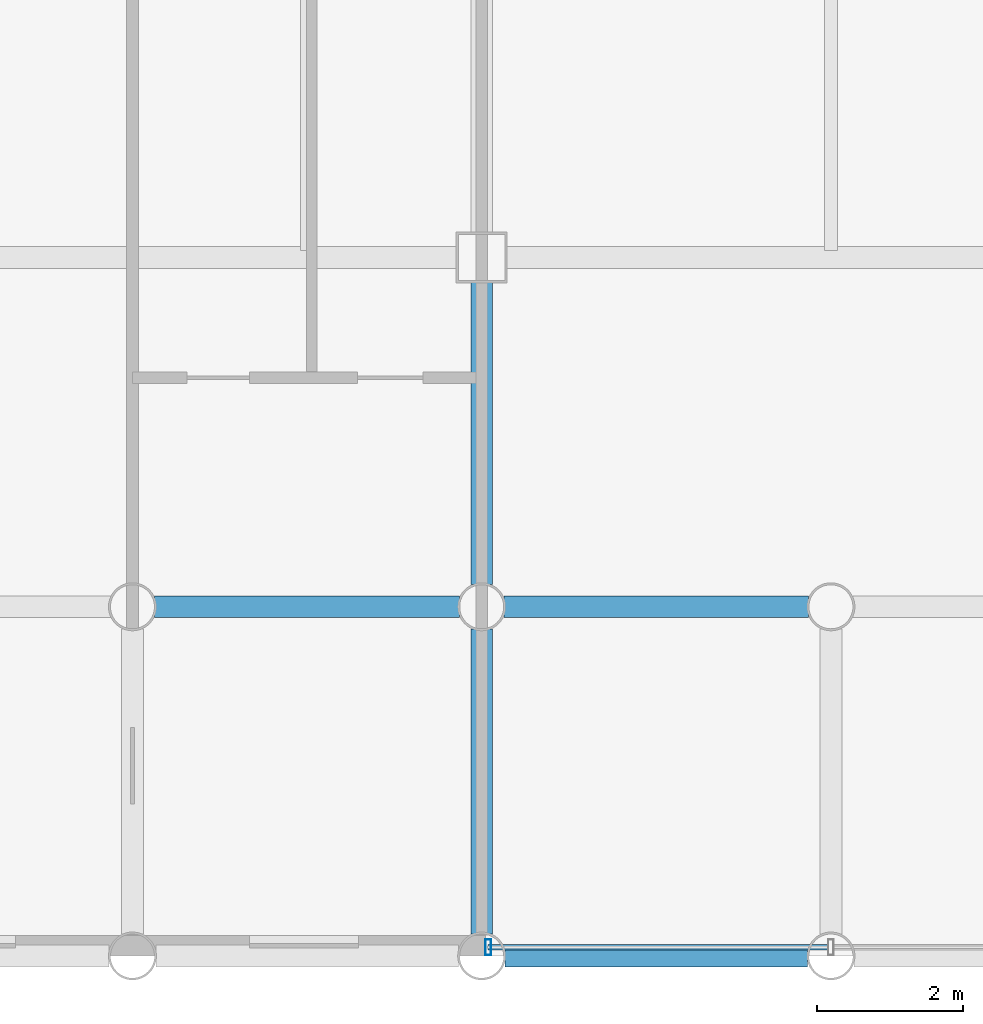
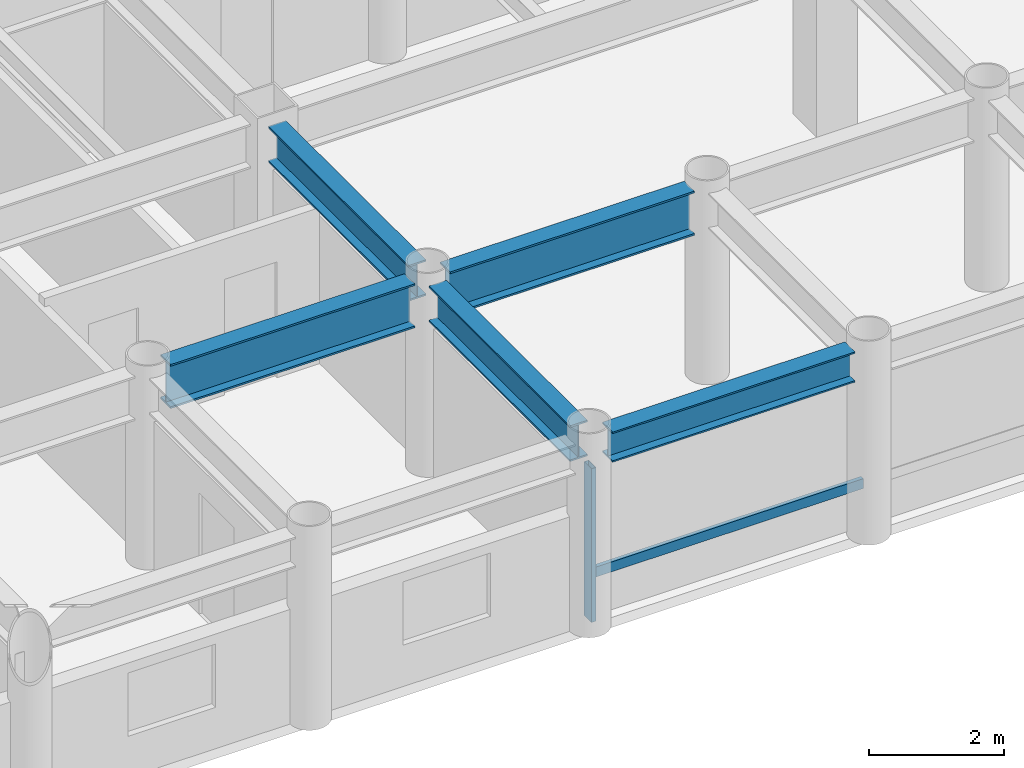
# One storey, part 2 of 20: 5 beams, 2 members, 1 element without a shape of its own.
"""IFC4 building model written with IfcOpenShell, lengths in metres."""

from ifc_helpers import new_model, si_unit, direction, frame, origin, origin_2d, place, context, subcontext, project, spatial, hollow_rectangle, i_section, extrude, material, layer, layer_set, material_profile, profile_set, type_object, element, aggregate, save


model = new_model("IFC4")

# Units and contexts
model_context = context("Model", 3, precision=1e-05, world=origin(), true_north=direction((0.0, 1.0)))
body_context = subcontext(model_context, "Body", "Model", "MODEL_VIEW")
ifc_project = project(units=[si_unit("LENGTHUNIT", "METRE"), si_unit("AREAUNIT", "SQUARE_METRE"), si_unit("VOLUMEUNIT", "CUBIC_METRE"), si_unit("PLANEANGLEUNIT", "RADIAN"), si_unit("MASSUNIT", "GRAM", prefix="KILO")], contexts=[model_context])

# Site, building, storey
site_placement = place(None, origin())
site = spatial("IfcSite", under=ifc_project, at=site_placement, CompositionType="ELEMENT")
building_placement = place(site_placement, origin())
building = spatial("IfcBuilding", under=site, at=building_placement, Name="Kallvorn Hotel Tower", CompositionType="ELEMENT")
storey_placement = place(building_placement, frame((0.0, 0.0, 176.60009765625)))
storey = spatial("IfcBuildingStorey", under=building, at=storey_placement, Name="L44", CompositionType="ELEMENT", Elevation=176.60009765625)

# Beams
ifc_material_1 = material(Name="Structural steel S355JR", Category="steel")
ifc_material_profile_1 = material_profile(ifc_material_1, i_section(OverallWidth=0.300048828125, OverallDepth=0.550048828125, WebThickness=0.014892578125, FlangeThickness=0.029052734375, at=origin_2d()), Name="HE 550 B")
ifc_profile_set_1 = profile_set([ifc_material_profile_1], Name="Structural steel S355JR")
beam_type_1 = type_object("IfcBeamType", Name="BM_HE550B", PredefinedType="SPANDREL", material=ifc_profile_set_1)
beam_1_placement = place(storey_placement, frame((-4.47998046875, -24.0, 3.204833984375), z_axis=(1.0, 0.0, 0.0), x_axis=(0.0, 1.0, 0.0)))
element("IfcBeam", 1, at=beam_1_placement, inside=storey, type_object=beam_type_1, Name="L45 Perimeter Spandrel 156", PredefinedType="SPANDREL", context=body_context, shape_type="SweptSolid", body=[
    extrude(i_section(OverallWidth=0.300048828125, OverallDepth=0.550048828125, WebThickness=0.014892578125, FlangeThickness=0.029052734375, at=origin_2d()), origin(), (0.0, 0.0, 1.0), 4.159912109375),
])
ifc_material_2 = material(Name="Structural steel S355JR", Category="steel")
ifc_material_profile_2 = material_profile(ifc_material_2, i_section(OverallWidth=0.300048828125, OverallDepth=0.64990234375, WebThickness=0.01611328125, FlangeThickness=0.031005859375, at=origin_2d()), Name="HE 650 B")
ifc_profile_set_2 = profile_set([ifc_material_profile_2], Name="Structural steel S355JR")
beam_type_2 = type_object("IfcBeamType", Name="BM_HE650B", PredefinedType="BEAM", material=ifc_profile_set_2)
beam_2_placement = place(storey_placement, frame((-4.800048828125, -23.695068359375, 3.15478515625), z_axis=(0.0, 1.0, 0.0), x_axis=(-1.0, 0.0, 0.0)))
element("IfcBeam", 2, at=beam_2_placement, inside=storey, type_object=beam_type_2, Name="L45 Primary Y-Girder 106", PredefinedType="BEAM", context=body_context, shape_type="SweptSolid", body=[
    extrude(i_section(OverallWidth=0.300048828125, OverallDepth=0.64990234375, WebThickness=0.01611328125, FlangeThickness=0.031005859375, at=origin_2d()), origin(), (0.0, 0.0, 1.0), 4.190185546875),
])
beam_3_placement = place(storey_placement, frame((-4.800048828125, -18.89501953125, 3.15478515625), z_axis=(0.0, 1.0, 0.0), x_axis=(-1.0, 0.0, 0.0)))
element("IfcBeam", 3, at=beam_3_placement, inside=storey, type_object=beam_type_2, Name="L45 Primary Y-Girder 107", PredefinedType="BEAM", context=body_context, shape_type="SweptSolid", body=[
    extrude(i_section(OverallWidth=0.300048828125, OverallDepth=0.64990234375, WebThickness=0.01611328125, FlangeThickness=0.031005859375, at=origin_2d()), origin(), (0.0, 0.0, 1.0), 4.169921875),
])
ifc_material_3 = material(Name="Structural steel S355JR", Category="steel")
ifc_material_profile_3 = material_profile(ifc_material_3, i_section(OverallWidth=0.300048828125, OverallDepth=0.800048828125, WebThickness=0.017578125, FlangeThickness=0.032958984375, at=origin_2d()), Name="HE 800 B")
ifc_profile_set_3 = profile_set([ifc_material_profile_3], Name="Structural steel S355JR")
beam_type_3 = type_object("IfcBeamType", Name="BM_HE800B", PredefinedType="BEAM", material=ifc_profile_set_3)
beam_4_placement = place(storey_placement, frame((-9.294921875, -19.199951171875, 3.079833984375), z_axis=(1.0, 0.0, 0.0), x_axis=(0.0, 1.0, 0.0)))
element("IfcBeam", 4, at=beam_4_placement, inside=storey, type_object=beam_type_3, Name="L45 Primary X-Girder 06", PredefinedType="BEAM", context=body_context, shape_type="SweptSolid", body=[
    extrude(i_section(OverallWidth=0.300048828125, OverallDepth=0.800048828125, WebThickness=0.017578125, FlangeThickness=0.032958984375, at=origin_2d()), origin(), (0.0, 0.0, 1.0), 4.18994140625),
])
beam_5_placement = place(storey_placement, frame((-4.4951171875, -19.199951171875, 3.079833984375), z_axis=(1.0, 0.0, 0.0), x_axis=(0.0, 1.0, 0.0)))
element("IfcBeam", 5, at=beam_5_placement, inside=storey, type_object=beam_type_3, Name="L45 Primary X-Girder 07", PredefinedType="BEAM", context=body_context, shape_type="SweptSolid", body=[
    extrude(i_section(OverallWidth=0.300048828125, OverallDepth=0.800048828125, WebThickness=0.017578125, FlangeThickness=0.032958984375, at=origin_2d()), origin(), (0.0, 0.0, 1.0), 4.190185546875),
])

# Curtain wall, members
ifc_material_4 = material(Name="Thermally broken black-anodised aluminium AA 6063-T6", Category="aluminium")
ifc_layer = layer(ifc_material_4, 0.2099609375)
ifc_layer_set = layer_set([ifc_layer], Name="CW_SYS_4_HOTEL_MID")
curtain_wall_type = type_object("IfcCurtainWallType", Name="CW_SYS_4_HOTEL_MID", PredefinedType="USERDEFINED", material=ifc_layer_set)
curtain_wall_placement = place(storey_placement, origin())
curtain_wall = element("IfcCurtainWall", 6, at=curtain_wall_placement, inside=storey, type_object=curtain_wall_type, Name="L44 Dark-Glass Curtain Wall CW-L44-SC", ObjectType="UNITISED CURTAIN WALL", PredefinedType="USERDEFINED")
ifc_material_5 = material(Name="Thermally broken black-anodised aluminium AA 6063-T6", Category="aluminium")
ifc_material_profile_4 = material_profile(ifc_material_5, hollow_rectangle(XDim=0.080078125, YDim=0.219970703125, WallThickness=0.0048828125, at=origin_2d()), Name="MUL 220x80")
ifc_profile_set_4 = profile_set([ifc_material_profile_4], Name="Thermally broken black-anodised aluminium AA 6063-T6")
member_type_1 = type_object("IfcMemberType", Name="CW_MULLION_220x80", PredefinedType="MULLION", material=ifc_profile_set_4)
member_1_placement = place(storey_placement, frame((-4.7099609375, -23.8798828125, 0.02001953125), z_axis=(0.0, 0.0, 1.0), x_axis=(1.0, 0.0, 0.0)))
member_1 = element("IfcMember", 7, at=member_1_placement, type_object=member_type_1, Name="CW-L44-SC Mullion 00", PredefinedType="MULLION", context=body_context, shape_type="SweptSolid", body=[
    extrude(hollow_rectangle(XDim=0.080078125, YDim=0.219970703125, WallThickness=0.0048828125, at=origin_2d()), origin(), (0.0, 0.0, 1.0), 2.789794921875),
])
ifc_material_6 = material(Name="Thermally broken black-anodised aluminium AA 6063-T6", Category="aluminium")
ifc_material_profile_5 = material_profile(ifc_material_6, hollow_rectangle(XDim=0.070068359375, YDim=0.179931640625, WallThickness=0.00390625, at=origin_2d()), Name="TRN 180x70")
ifc_profile_set_5 = profile_set([ifc_material_profile_5], Name="Thermally broken black-anodised aluminium AA 6063-T6")
member_type_2 = type_object("IfcMemberType", Name="CW_TRANSOM_180x70", PredefinedType="USERDEFINED", material=ifc_profile_set_5)
member_2_placement = place(storey_placement, frame((-4.7099609375, -23.8798828125, 0.849853515625), z_axis=(1.0, 0.0, 0.0), x_axis=(0.0, 1.0, 0.0)))
member_2 = element("IfcMember", 8, at=member_2_placement, type_object=member_type_2, Name="CW-L44-SC Transom 00M", ObjectType="TRANSOM", PredefinedType="USERDEFINED", context=body_context, shape_type="SweptSolid", body=[
    extrude(hollow_rectangle(XDim=0.070068359375, YDim=0.179931640625, WallThickness=0.00390625, at=origin_2d()), origin(), (0.0, 0.0, 1.0), 4.669921875),
])
aggregate(curtain_wall, [member_1, member_2])

save(model, "model.ifc")
